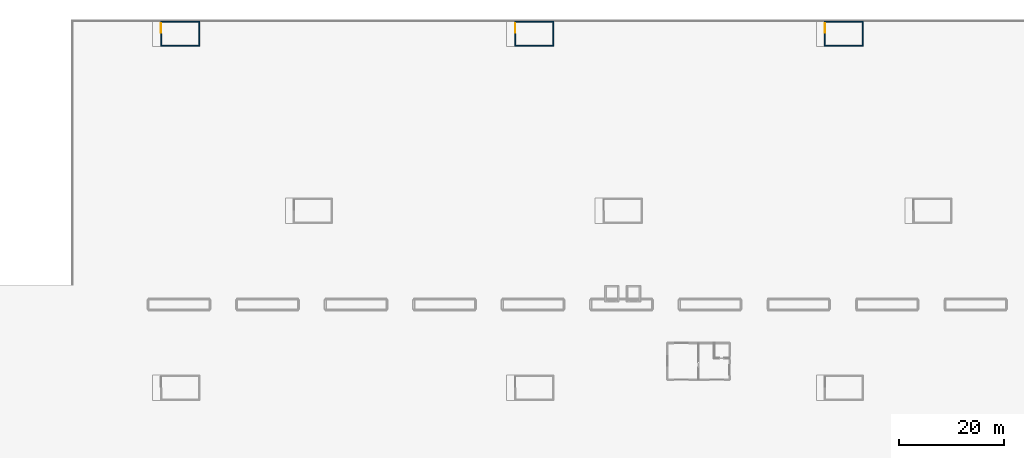
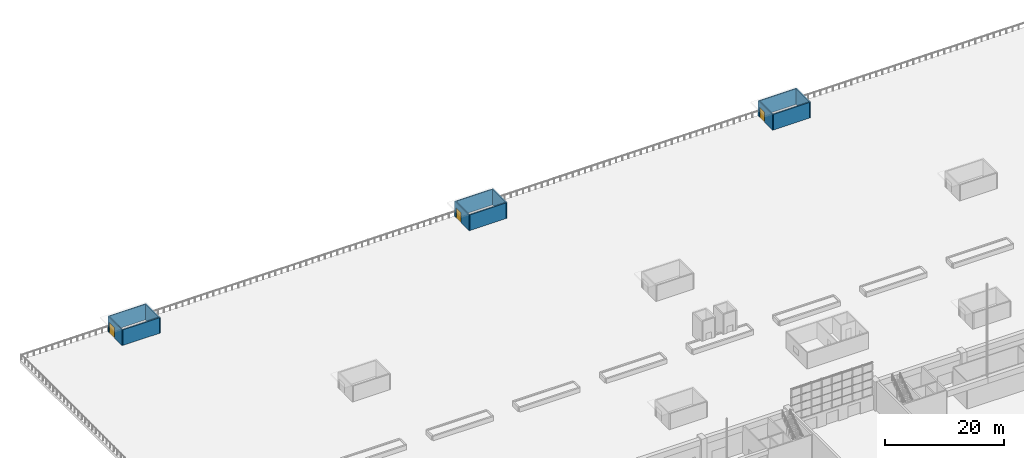
# One storey, part 127 of 210: 12 walls, 3 doors, 3 openings.
"""IFC4 building model written with IfcOpenShell, lengths in metres."""

from ifc_helpers import new_model, si_unit, direction, frame, frame_2d, origin, place, context, subcontext, project, spatial, rectangle, extrude, material, layer, layer_set, type_object, element, fill, save


model = new_model("IFC4")

# Units and contexts
model_context = context("Model", 3, precision=1e-05, world=origin(), true_north=direction((0.0, 1.0)))
body_context = subcontext(model_context, "Body", "Model", "MODEL_VIEW")
ifc_project = project(units=[si_unit("LENGTHUNIT", "METRE"), si_unit("AREAUNIT", "SQUARE_METRE"), si_unit("VOLUMEUNIT", "CUBIC_METRE"), si_unit("PLANEANGLEUNIT", "RADIAN"), si_unit("MASSUNIT", "GRAM", prefix="KILO")], contexts=[model_context])

# Site, building, storey
site_placement = place(None, origin())
site = spatial("IfcSite", under=ifc_project, at=site_placement, CompositionType="ELEMENT")
building_placement = place(site_placement, origin())
building = spatial("IfcBuilding", under=site, at=building_placement, Name="Rain Tree Exposition and Congress Centre", CompositionType="ELEMENT")
storey_placement = place(building_placement, origin())
storey = spatial("IfcBuildingStorey", under=building, at=storey_placement, Name="L00", CompositionType="ELEMENT", Elevation=0.0)

# Wall, opening, door
ifc_material_1 = material(Name="Concrete C40/50", Category="concrete")
ifc_layer = layer(ifc_material_1, 0.199951171875)
ifc_layer_set = layer_set([ifc_layer], Name="Concrete C40/50")
wall_type = type_object("IfcWallType", Name="Exit stair wall 200", PredefinedType="PARTITIONING", material=ifc_layer_set)
wall_1_placement = place(storey_placement, frame((42.60009765625, 280.60009765625, 0.0), z_axis=(0.0, 0.0, 1.0), x_axis=(0.0, 1.0, 0.0)))
wall_1 = element("IfcWall", 1, at=wall_1_placement, inside=storey, type_object=wall_type, Name="Exit stair N09 wall west", PredefinedType="SOLIDWALL", context=body_context, shape_type="SweptSolid", body=[
    extrude(rectangle(XDim=4.7998046875, YDim=0.199951171875, at=frame_2d((2.39990234375, 0.0))), origin(), (0.0, 0.0, 1.0), 3.199951171875),
])
opening_1_placement = place(wall_1_placement, frame((2.60009765625, 0.0, 0.0)))
opening_1 = element("IfcOpeningElement", 2, at=opening_1_placement, cuts=wall_1, Name="Opening DS156", PredefinedType="OPENING", context=body_context, shape_type="SweptSolid", body=[
    extrude(rectangle(XDim=1.800048828125, YDim=2.10009765625, at=frame_2d((0.89990234375, 1.050048828125))), frame((0.0, 0.10009765625, 0.0), z_axis=(0.0, -1.0, 0.0), x_axis=(1.0, 0.0, 0.0)), (0.0, 0.0, 1.0), 0.199951171875),
])
ifc_material_2 = material(Name="Powder-coated steel", Category="steel")
door_type = type_object("IfcDoorType", Name="Exit stair deck door 1800x2100", OperationType="NOTDEFINED", PredefinedType="DOOR", material=ifc_material_2)
door_1_placement = place(opening_1_placement, origin())
door_1 = element("IfcDoor", 3, at=door_1_placement, inside=storey, type_object=door_type, Name="Exit stair N09 door L00", OperationType="SINGLE_SWING_LEFT", OverallHeight=2.10009765625, OverallWidth=1.800048828125, PredefinedType="DOOR", context=body_context, shape_type="SweptSolid", body=[
    extrude(rectangle(XDim=1.800048828125, YDim=2.10009765625, at=frame_2d((0.89990234375, 1.050048828125))), frame((0.0, 0.02490234375, 0.0), z_axis=(0.0, -1.0, 0.0), x_axis=(1.0, 0.0, 0.0)), (0.0, 0.0, 1.0), 0.050048828125),
])
fill(opening_1, door_1)

# Walls
wall_2_placement = place(storey_placement, frame((49.800048828125, 280.60009765625, 0.0), z_axis=(0.0, 0.0, 1.0), x_axis=(0.0, 1.0, 0.0)))
element("IfcWall", 4, at=wall_2_placement, inside=storey, type_object=wall_type, Name="Exit stair N09 wall east", PredefinedType="SOLIDWALL", context=body_context, shape_type="SweptSolid", body=[
    extrude(rectangle(XDim=4.7998046875, YDim=0.199951171875, at=frame_2d((2.39990234375, 0.0))), origin(), (0.0, 0.0, 1.0), 3.199951171875),
])
for number, where, z_axis, x_axis, name in (
    (5, (42.699951171875, 280.699951171875, 0.0), (0.0, 0.0, 1.0), (1.0, 0.0, 0.0), "Exit stair N09 wall south"),
    (6, (42.699951171875, 285.300048828125, 0.0), (0.0, 0.0, 1.0), (1.0, 0.0, 0.0), "Exit stair N09 wall north"),
):
    element("IfcWall", number, at=place(storey_placement, frame(where, z_axis=z_axis, x_axis=x_axis)), inside=storey, type_object=wall_type, Name=name, PredefinedType="SOLIDWALL", context=body_context, shape_type="SweptSolid", body=[
        extrude(rectangle(XDim=7.0, YDim=0.199951171875, at=frame_2d((3.5, 0.0))), origin(), (0.0, 0.0, 1.0), 3.199951171875),
    ])

# Wall, opening, door
wall_3_placement = place(storey_placement, frame((109.800048828125, 280.60009765625, 0.0), z_axis=(0.0, 0.0, 1.0), x_axis=(0.0, 1.0, 0.0)))
wall_3 = element("IfcWall", 7, at=wall_3_placement, inside=storey, type_object=wall_type, Name="Exit stair N10 wall west", PredefinedType="SOLIDWALL", context=body_context, shape_type="SweptSolid", body=[
    extrude(rectangle(XDim=4.7998046875, YDim=0.199951171875, at=frame_2d((2.39990234375, 0.0))), origin(), (0.0, 0.0, 1.0), 3.199951171875),
])
opening_2_placement = place(wall_3_placement, frame((2.60009765625, 0.0, 0.0)))
opening_2 = element("IfcOpeningElement", 8, at=opening_2_placement, cuts=wall_3, Name="Opening DS158", PredefinedType="OPENING", context=body_context, shape_type="SweptSolid", body=[
    extrude(rectangle(XDim=1.800048828125, YDim=2.10009765625, at=frame_2d((0.89990234375, 1.050048828125))), frame((0.0, 0.10009765625, 0.0), z_axis=(0.0, -1.0, 0.0), x_axis=(1.0, 0.0, 0.0)), (0.0, 0.0, 1.0), 0.199951171875),
])
door_2_placement = place(opening_2_placement, origin())
door_2 = element("IfcDoor", 9, at=door_2_placement, inside=storey, type_object=door_type, Name="Exit stair N10 door L00", OperationType="SINGLE_SWING_LEFT", OverallHeight=2.10009765625, OverallWidth=1.800048828125, PredefinedType="DOOR", context=body_context, shape_type="SweptSolid", body=[
    extrude(rectangle(XDim=1.800048828125, YDim=2.10009765625, at=frame_2d((0.89990234375, 1.050048828125))), frame((0.0, 0.02490234375, 0.0), z_axis=(0.0, -1.0, 0.0), x_axis=(1.0, 0.0, 0.0)), (0.0, 0.0, 1.0), 0.050048828125),
])
fill(opening_2, door_2)

# Walls
wall_4_placement = place(storey_placement, frame((117.0, 280.60009765625, 0.0), z_axis=(0.0, 0.0, 1.0), x_axis=(0.0, 1.0, 0.0)))
element("IfcWall", 10, at=wall_4_placement, inside=storey, type_object=wall_type, Name="Exit stair N10 wall east", PredefinedType="SOLIDWALL", context=body_context, shape_type="SweptSolid", body=[
    extrude(rectangle(XDim=4.7998046875, YDim=0.199951171875, at=frame_2d((2.39990234375, 0.0))), origin(), (0.0, 0.0, 1.0), 3.199951171875),
])
for number, where, z_axis, x_axis, name in (
    (11, (109.89990234375, 280.699951171875, 0.0), (0.0, 0.0, 1.0), (1.0, 0.0, 0.0), "Exit stair N10 wall south"),
    (12, (109.89990234375, 285.300048828125, 0.0), (0.0, 0.0, 1.0), (1.0, 0.0, 0.0), "Exit stair N10 wall north"),
):
    element("IfcWall", number, at=place(storey_placement, frame(where, z_axis=z_axis, x_axis=x_axis)), inside=storey, type_object=wall_type, Name=name, PredefinedType="SOLIDWALL", context=body_context, shape_type="SweptSolid", body=[
        extrude(rectangle(XDim=7.0, YDim=0.199951171875, at=frame_2d((3.5, 0.0))), origin(), (0.0, 0.0, 1.0), 3.199951171875),
    ])

# Wall, opening, door
wall_5_placement = place(storey_placement, frame((168.60009765625, 280.60009765625, 0.0), z_axis=(0.0, 0.0, 1.0), x_axis=(0.0, 1.0, 0.0)))
wall_5 = element("IfcWall", 13, at=wall_5_placement, inside=storey, type_object=wall_type, Name="Exit stair N11 wall west", PredefinedType="SOLIDWALL", context=body_context, shape_type="SweptSolid", body=[
    extrude(rectangle(XDim=4.7998046875, YDim=0.199951171875, at=frame_2d((2.39990234375, 0.0))), origin(), (0.0, 0.0, 1.0), 3.199951171875),
])
opening_3_placement = place(wall_5_placement, frame((2.60009765625, 0.0, 0.0)))
opening_3 = element("IfcOpeningElement", 14, at=opening_3_placement, cuts=wall_5, Name="Opening DS160", PredefinedType="OPENING", context=body_context, shape_type="SweptSolid", body=[
    extrude(rectangle(XDim=1.800048828125, YDim=2.10009765625, at=frame_2d((0.89990234375, 1.050048828125))), frame((0.0, 0.10009765625, 0.0), z_axis=(0.0, -1.0, 0.0), x_axis=(1.0, 0.0, 0.0)), (0.0, 0.0, 1.0), 0.199951171875),
])
door_3_placement = place(opening_3_placement, origin())
door_3 = element("IfcDoor", 15, at=door_3_placement, inside=storey, type_object=door_type, Name="Exit stair N11 door L00", OperationType="SINGLE_SWING_LEFT", OverallHeight=2.10009765625, OverallWidth=1.800048828125, PredefinedType="DOOR", context=body_context, shape_type="SweptSolid", body=[
    extrude(rectangle(XDim=1.800048828125, YDim=2.10009765625, at=frame_2d((0.89990234375, 1.050048828125))), frame((0.0, 0.02490234375, 0.0), z_axis=(0.0, -1.0, 0.0), x_axis=(1.0, 0.0, 0.0)), (0.0, 0.0, 1.0), 0.050048828125),
])
fill(opening_3, door_3)

# Walls
wall_6_placement = place(storey_placement, frame((175.800048828125, 280.60009765625, 0.0), z_axis=(0.0, 0.0, 1.0), x_axis=(0.0, 1.0, 0.0)))
element("IfcWall", 16, at=wall_6_placement, inside=storey, type_object=wall_type, Name="Exit stair N11 wall east", PredefinedType="SOLIDWALL", context=body_context, shape_type="SweptSolid", body=[
    extrude(rectangle(XDim=4.7998046875, YDim=0.199951171875, at=frame_2d((2.39990234375, 0.0))), origin(), (0.0, 0.0, 1.0), 3.199951171875),
])
for number, where, z_axis, x_axis, name in (
    (17, (168.699951171875, 280.699951171875, 0.0), (0.0, 0.0, 1.0), (1.0, 0.0, 0.0), "Exit stair N11 wall south"),
    (18, (168.699951171875, 285.300048828125, 0.0), (0.0, 0.0, 1.0), (1.0, 0.0, 0.0), "Exit stair N11 wall north"),
):
    element("IfcWall", number, at=place(storey_placement, frame(where, z_axis=z_axis, x_axis=x_axis)), inside=storey, type_object=wall_type, Name=name, PredefinedType="SOLIDWALL", context=body_context, shape_type="SweptSolid", body=[
        extrude(rectangle(XDim=7.0, YDim=0.199951171875, at=frame_2d((3.5, 0.0))), origin(), (0.0, 0.0, 1.0), 3.199951171875),
    ])

save(model, "model.ifc")
